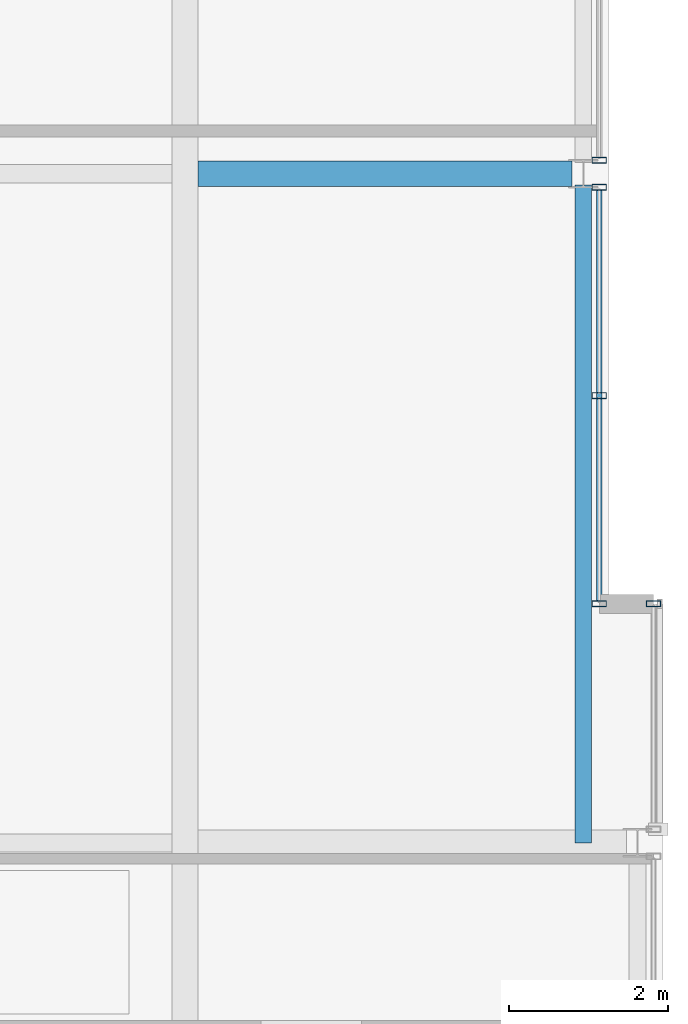
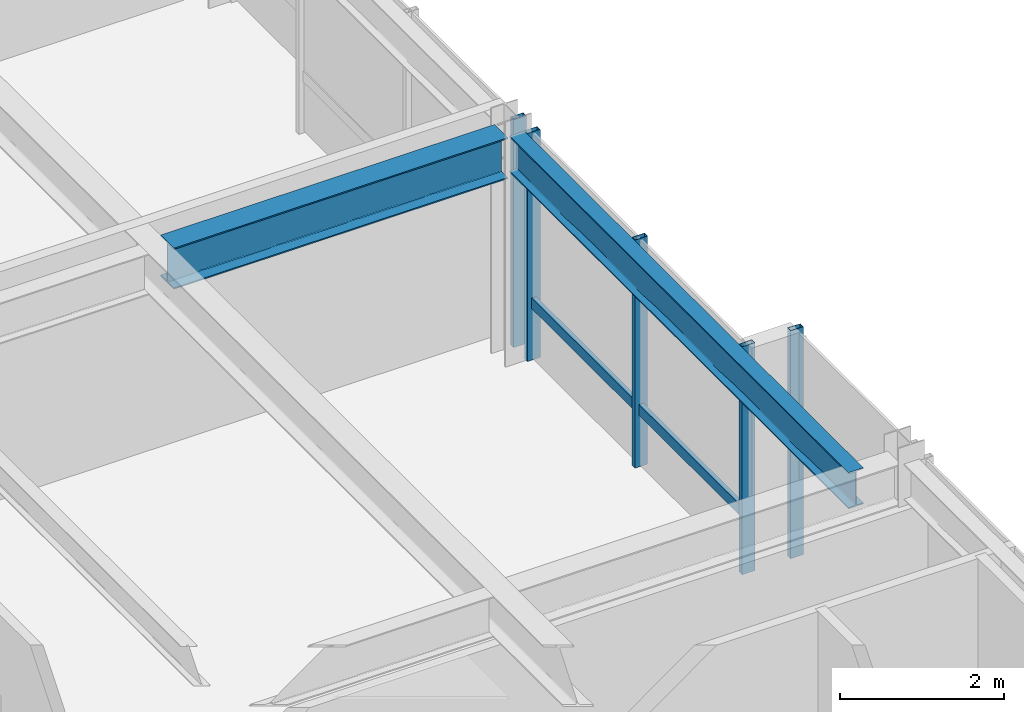
# One storey, part 18 of 33: 6 members, 2 beams, 3 elements without a shape of their own.
"""IFC4 building model written with IfcOpenShell, lengths in metres."""

from ifc_helpers import new_model, si_unit, direction, frame, origin, origin_2d, place, context, subcontext, project, spatial, hollow_rectangle, i_section, extrude, material, layer, layer_set, material_profile, profile_set, type_object, element, aggregate, save


model = new_model("IFC4")

# Units and contexts
model_context = context("Model", 3, precision=1e-05, world=origin(), true_north=direction((0.0, 1.0)))
body_context = subcontext(model_context, "Body", "Model", "MODEL_VIEW")
ifc_project = project(units=[si_unit("LENGTHUNIT", "METRE"), si_unit("AREAUNIT", "SQUARE_METRE"), si_unit("VOLUMEUNIT", "CUBIC_METRE"), si_unit("PLANEANGLEUNIT", "RADIAN"), si_unit("MASSUNIT", "GRAM", prefix="KILO")], contexts=[model_context])

# Site, building, storey
site_placement = place(None, origin())
site = spatial("IfcSite", under=ifc_project, at=site_placement, CompositionType="ELEMENT")
building_placement = place(site_placement, origin())
building = spatial("IfcBuilding", under=site, at=building_placement, Name="Drelvath Grand Hotel", CompositionType="ELEMENT")
storey_placement = place(building_placement, frame((0.0, 0.0, 283.25)))
storey = spatial("IfcBuildingStorey", under=building, at=storey_placement, Name="L74", CompositionType="ELEMENT", Elevation=283.25)

# Curtain wall, members
ifc_material_1 = material(Name="Platinum-Mist Anodised Aluminium Frame", Category="aluminium")
ifc_layer = layer(ifc_material_1, 0.199951171875)
ifc_layer_set = layer_set([ifc_layer], Name="Platinum-Mist Anodised Aluminium Frame")
curtain_wall_type = type_object("IfcCurtainWallType", Name="Stick Curtain Wall CW-05 Platinum Mist High-Rise", PredefinedType="NOTDEFINED", material=ifc_layer_set)
curtain_wall_1_placement = place(storey_placement, origin())
curtain_wall_1 = element("IfcCurtainWall", 1, at=curtain_wall_1_placement, inside=storey, type_object=curtain_wall_type, Name="L74 CW-05 Curtain Wall CW05-L74-EM1", PredefinedType="NOTDEFINED")
ifc_material_profile_1 = material_profile(ifc_material_1, hollow_rectangle(XDim=0.06494140625, YDim=0.159912109375, WallThickness=0.00390625, at=origin_2d()), Name="HSS160X65X4")
ifc_profile_set_1 = profile_set([ifc_material_profile_1], Name="Platinum-Mist Anodised Aluminium Frame")
member_type_1 = type_object("IfcMemberType", Name="Curtain Wall Horizontal Transom CW-05 HSS160X65X4", PredefinedType="USERDEFINED", material=ifc_profile_set_1)
member_1_placement = place(storey_placement, frame((21.39990234375, 26.7900390625, 0.847412109375), z_axis=(0.0, -1.0, 0.0), x_axis=(1.0, 0.0, 0.0)))
member_1 = element("IfcMember", 2, at=member_1_placement, type_object=member_type_1, Name="CW05-L74-EM1 Sill Transom", ObjectType="TRANSOM", PredefinedType="USERDEFINED", context=body_context, shape_type="SweptSolid", body=[
    extrude(hollow_rectangle(XDim=0.06494140625, YDim=0.159912109375, WallThickness=0.00390625, at=origin_2d()), origin(), (0.0, 0.0, 1.0), 5.150146484375),
])
ifc_material_profile_2 = material_profile(ifc_material_1, hollow_rectangle(XDim=0.074951171875, YDim=0.179931640625, WallThickness=0.0048828125, at=origin_2d()), Name="HSS180X75X5")
ifc_profile_set_2 = profile_set([ifc_material_profile_2], Name="Platinum-Mist Anodised Aluminium Frame")
member_type_2 = type_object("IfcMemberType", Name="Curtain Wall Vertical Mullion CW-05 HSS180X75X5", PredefinedType="MULLION", material=ifc_profile_set_2)
member_2_placement = place(storey_placement, frame((21.39990234375, 26.830078125, 0.0), z_axis=(0.0, 0.0, 1.0), x_axis=(0.0, 1.0, 0.0)))
member_2 = element("IfcMember", 3, at=member_2_placement, type_object=member_type_2, Name="CW05-L74-EM1 Mullion 1", PredefinedType="MULLION", context=body_context, shape_type="SweptSolid", body=[
    extrude(hollow_rectangle(XDim=0.074951171875, YDim=0.179931640625, WallThickness=0.0048828125, at=origin_2d()), origin(), (0.0, 0.0, 1.0), 3.389892578125),
])
member_3_placement = place(storey_placement, frame((21.39990234375, 24.215087890625, 0.0), z_axis=(0.0, 0.0, 1.0), x_axis=(0.0, 1.0, 0.0)))
member_3 = element("IfcMember", 4, at=member_3_placement, type_object=member_type_2, Name="CW05-L74-EM1 Mullion 2", PredefinedType="MULLION", context=body_context, shape_type="SweptSolid", body=[
    extrude(hollow_rectangle(XDim=0.074951171875, YDim=0.179931640625, WallThickness=0.0048828125, at=origin_2d()), origin(), (0.0, 0.0, 1.0), 3.389892578125),
])
member_4_placement = place(storey_placement, frame((21.39990234375, 21.60009765625, 0.0), z_axis=(0.0, 0.0, 1.0), x_axis=(0.0, 1.0, 0.0)))
member_4 = element("IfcMember", 5, at=member_4_placement, type_object=member_type_2, Name="CW05-L74-EM1 Mullion 3", PredefinedType="MULLION", context=body_context, shape_type="SweptSolid", body=[
    extrude(hollow_rectangle(XDim=0.074951171875, YDim=0.179931640625, WallThickness=0.0048828125, at=origin_2d()), origin(), (0.0, 0.0, 1.0), 3.389892578125),
])
aggregate(curtain_wall_1, [member_2, member_3, member_4, member_1])

# Curtain wall, member
curtain_wall_2_placement = place(storey_placement, origin())
curtain_wall_2 = element("IfcCurtainWall", 6, at=curtain_wall_2_placement, inside=storey, type_object=curtain_wall_type, Name="L74 CW-05 Curtain Wall CW05-L74-EM2", PredefinedType="NOTDEFINED")
member_5_placement = place(storey_placement, frame((21.39990234375, 27.169921875, 0.0), z_axis=(0.0, 0.0, 1.0), x_axis=(0.0, 1.0, 0.0)))
member_5 = element("IfcMember", 7, at=member_5_placement, type_object=member_type_2, Name="CW05-L74-EM2 Mullion 3", PredefinedType="MULLION", context=body_context, shape_type="SweptSolid", body=[
    extrude(hollow_rectangle(XDim=0.074951171875, YDim=0.179931640625, WallThickness=0.0048828125, at=origin_2d()), origin(), (0.0, 0.0, 1.0), 3.389892578125),
])
aggregate(curtain_wall_2, [member_5])

curtain_wall_3_placement = place(storey_placement, origin())
curtain_wall_3 = element("IfcCurtainWall", 8, at=curtain_wall_3_placement, inside=storey, type_object=curtain_wall_type, Name="L74 CW-05 Curtain Wall CW05-L74-ES2", PredefinedType="NOTDEFINED")
member_6_placement = place(storey_placement, frame((22.080078125, 21.60009765625, 0.0), z_axis=(0.0, 0.0, 1.0), x_axis=(0.0, 1.0, 0.0)))
member_6 = element("IfcMember", 9, at=member_6_placement, type_object=member_type_2, Name="CW05-L74-ES2 Mullion 1", PredefinedType="MULLION", context=body_context, shape_type="SweptSolid", body=[
    extrude(hollow_rectangle(XDim=0.074951171875, YDim=0.179931640625, WallThickness=0.0048828125, at=origin_2d()), origin(), (0.0, 0.0, 1.0), 3.389892578125),
])
aggregate(curtain_wall_3, [member_6])

# Beams
ifc_material_2 = material(Name="Steel ASTM A992 Gr 50", Category="steel")
ifc_material_profile_3 = material_profile(ifc_material_2, i_section(OverallWidth=0.210205078125, OverallDepth=0.53662109375, WebThickness=0.010986328125, FlangeThickness=0.017333984375, FilletRadius=0.01806640625, at=origin_2d()), Name="W21X68")
ifc_profile_set_3 = profile_set([ifc_material_profile_3], Name="Steel ASTM A992 Gr 50")
beam_type_1 = type_object("IfcBeamType", Name="Perimeter Spandrel Beam W21X68", PredefinedType="SPANDREL", material=ifc_profile_set_3)
beam_1_placement = place(storey_placement, frame((21.199951171875, 18.60009765625, 3.12158203125), z_axis=(0.0, 1.0, 0.0), x_axis=(-1.0, 0.0, 0.0)))
element("IfcBeam", 10, at=beam_1_placement, inside=storey, type_object=beam_type_1, Name="L74 Spandrel East Mid S", PredefinedType="SPANDREL", context=body_context, shape_type="SweptSolid", body=[
    extrude(i_section(OverallWidth=0.210205078125, OverallDepth=0.53662109375, WebThickness=0.010986328125, FlangeThickness=0.017333984375, FilletRadius=0.01806640625, at=origin_2d()), origin(), (0.0, 0.0, 1.0), 8.260009765625),
])
ifc_material_profile_4 = material_profile(ifc_material_2, i_section(OverallWidth=0.323974609375, OverallDepth=0.611083984375, WebThickness=0.0126953125, FlangeThickness=0.01904296875, FilletRadius=0.02197265625, at=origin_2d()), Name="W24X104")
ifc_profile_set_4 = profile_set([ifc_material_profile_4], Name="Steel ASTM A992 Gr 50")
beam_type_2 = type_object("IfcBeamType", Name="Primary Floor Girder W24X104", PredefinedType="BEAM", material=ifc_profile_set_4)
beam_2_placement = place(storey_placement, frame((16.362060546875, 27.0, 3.08447265625), z_axis=(1.0, 0.0, 0.0), x_axis=(0.0, 1.0, 0.0)))
element("IfcBeam", 11, at=beam_2_placement, inside=storey, type_object=beam_type_2, Name="L74 East Wing Girder E", PredefinedType="BEAM", context=body_context, shape_type="SweptSolid", body=[
    extrude(i_section(OverallWidth=0.323974609375, OverallDepth=0.611083984375, WebThickness=0.0126953125, FlangeThickness=0.01904296875, FilletRadius=0.02197265625, at=origin_2d()), origin(), (0.0, 0.0, 1.0), 4.697998046875),
])

save(model, "model.ifc")
